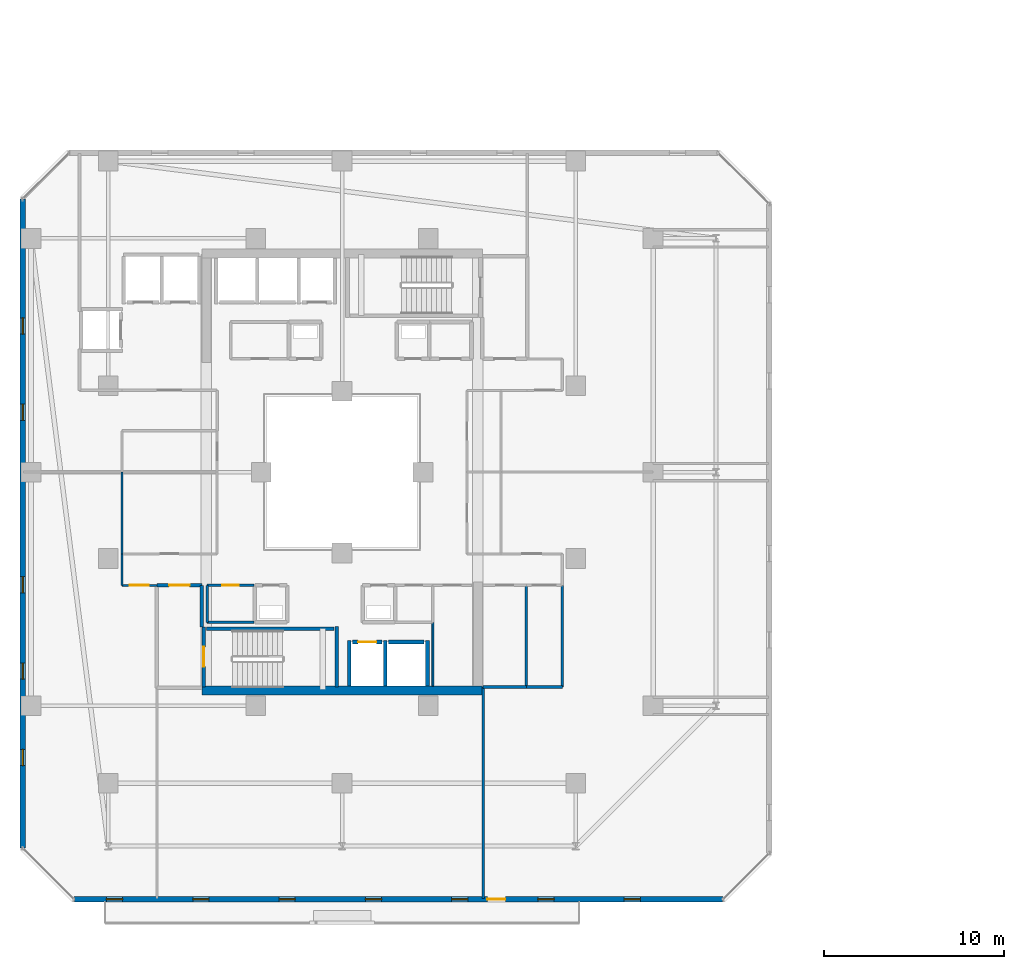
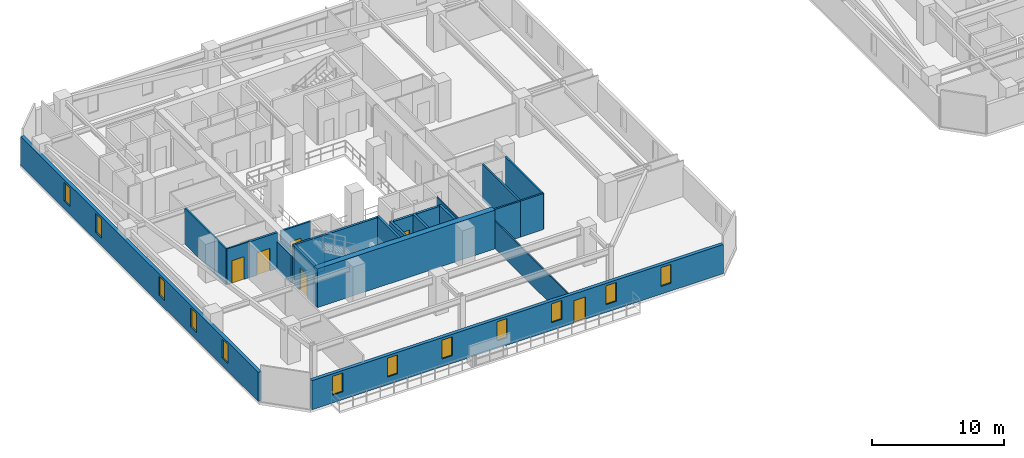
# One storey, part 19 of 33: 25 walls, 12 windows, 6 doors, 18 openings.
"""IFC4 building model written with IfcOpenShell, lengths in metres."""

from ifc_helpers import new_model, si_unit, direction, frame, frame_2d, origin, place, context, subcontext, project, spatial, rectangle, extrude, material, layer, layer_set, type_object, element, fill, save


model = new_model("IFC4")

# Units and contexts
model_context = context("Model", 3, precision=1e-05, world=origin(), true_north=direction((0.0, 1.0)))
body_context = subcontext(model_context, "Body", "Model", "MODEL_VIEW")
ifc_project = project(units=[si_unit("LENGTHUNIT", "METRE"), si_unit("AREAUNIT", "SQUARE_METRE"), si_unit("VOLUMEUNIT", "CUBIC_METRE"), si_unit("PLANEANGLEUNIT", "RADIAN"), si_unit("MASSUNIT", "GRAM", prefix="KILO")], contexts=[model_context])

# Site, building, storey
site_placement = place(None, origin())
site = spatial("IfcSite", under=ifc_project, at=site_placement, CompositionType="ELEMENT")
building_placement = place(site_placement, origin())
building = spatial("IfcBuilding", under=site, at=building_placement, Name="Thornwick Lancets Civic Towers", CompositionType="ELEMENT")
storey_placement = place(building_placement, frame((0.0, 0.0, 167.10009765625)))
storey = spatial("IfcBuildingStorey", under=building, at=storey_placement, Name="L44", CompositionType="ELEMENT", Elevation=167.10009765625)

# Wall, opening, door
ifc_material_1 = material(Name="Concrete blockwork C40/50", Category="masonry")
ifc_layer_1 = layer(ifc_material_1, 0.199951171875, Name="Concrete blockwork C40/50")
ifc_layer_set_1 = layer_set([ifc_layer_1], Name="Concrete blockwork C40/50")
wall_type_1 = type_object("IfcWallType", Name="WALL_COMP_200", PredefinedType="STANDARD", material=ifc_layer_set_1)
wall_1_placement = place(storey_placement, frame((26.080078125, 17.550048828125, 0.0), z_axis=(0.0, 0.0, 1.0), x_axis=(1.0, 0.0, 0.0)))
wall_1 = element("IfcWall", 1, at=wall_1_placement, inside=storey, type_object=wall_type_1, Name="L44 Hoistway Front Wall FL-A1", PredefinedType="STANDARD", context=body_context, shape_type="SweptSolid", body=[
    extrude(rectangle(XDim=1.639892578125, YDim=0.199951171875, at=frame_2d((0.81982421875, 0.0))), origin(), (0.0, 0.0, 1.0), 3.33984375),
])
opening_1_placement = place(wall_1_placement, frame((0.31005859375, 0.0, 0.0)))
opening_1 = element("IfcOpeningElement", 2, at=opening_1_placement, cuts=wall_1, Name="Opening LD-FL-A1", PredefinedType="OPENING", context=body_context, shape_type="SweptSolid", body=[
    extrude(rectangle(XDim=1.02001953125, YDim=2.06005859375, at=frame_2d((0.510009765625, 1.030029296875))), frame((0.0, 0.10986328125, 0.0), z_axis=(0.0, -1.0, 0.0), x_axis=(1.0, 0.0, 0.0)), (0.0, 0.0, 1.0), 0.219970703125),
])
ifc_material_2 = material(Name="Brushed bronze stainless steel", Category="steel")
door_type_1 = type_object("IfcDoorType", Name="DOOR_LIFT_SLIDE", OperationType="SLIDING_TO_LEFT", PredefinedType="DOOR", material=ifc_material_2)
door_1_placement = place(opening_1_placement, origin())
door_1 = element("IfcDoor", 3, at=door_1_placement, inside=storey, type_object=door_type_1, Name="L44 Sliding Lift Landing Door LD-FL-A1", OperationType="SLIDING_TO_LEFT", OverallHeight=2.06005859375, OverallWidth=1.02001953125, PredefinedType="DOOR", context=body_context, shape_type="SweptSolid", body=[
    extrude(rectangle(XDim=1.02001953125, YDim=2.06005859375, at=frame_2d((0.510009765625, 1.030029296875))), frame((0.0, 0.02490234375, 0.0), z_axis=(0.0, -1.0, 0.0), x_axis=(1.0, 0.0, 0.0)), (0.0, 0.0, 1.0), 0.050048828125),
])
fill(opening_1, door_1)

# Walls
wall_2_placement = place(storey_placement, frame((28.080078125, 17.550048828125, 0.0), z_axis=(0.0, 0.0, 1.0), x_axis=(1.0, 0.0, 0.0)))
element("IfcWall", 4, at=wall_2_placement, inside=storey, type_object=wall_type_1, Name="L44 Hoistway Front Wall PL-AH1", PredefinedType="STANDARD", context=body_context, shape_type="SweptSolid", body=[
    extrude(rectangle(XDim=1.989990234375, YDim=0.199951171875, at=frame_2d((0.9951171875, 0.0))), origin(), (0.0, 0.0, 1.0), 3.33984375),
])
for number, where, z_axis, x_axis, name in (
    (5, (27.89990234375, 15.112060546875, 0.0), (0.0, 0.0, 1.0), (0.0, 1.0, 0.0), "L44 Hoistway Shaft Wall FL-A1 E"),
    (6, (25.89990234375, 15.112060546875, 0.0), (0.0, 0.0, 1.0), (0.0, 1.0, 0.0), "L44 Hoistway Shaft Wall FL-A1 W"),
    (7, (30.25, 15.112060546875, 0.0), (0.0, 0.0, 1.0), (0.0, 1.0, 0.0), "L44 Hoistway Shaft Wall PL-AH1 E"),
):
    element("IfcWall", number, at=place(storey_placement, frame(where, z_axis=z_axis, x_axis=x_axis)), inside=storey, type_object=wall_type_1, Name=name, PredefinedType="STANDARD", context=body_context, shape_type="SweptSolid", body=[
        extrude(rectangle(XDim=2.535888671875, YDim=0.199951171875, at=frame_2d((1.26806640625, 0.0))), origin(), (0.0, 0.0, 1.0), 3.33984375),
    ])
wall_3_placement = place(storey_placement, frame((17.699951171875, 18.39990234375, 0.0), z_axis=(0.0, 0.0, 1.0), x_axis=(0.0, 1.0, 0.0)))
element("IfcWall", 8, at=wall_3_placement, inside=storey, type_object=wall_type_1, Name="L44 Partition L44-A-FFLOB1 E2", PredefinedType="STANDARD", context=body_context, shape_type="SweptSolid", body=[
    extrude(rectangle(XDim=2.300048828125, YDim=0.199951171875, at=frame_2d((1.14990234375, 0.0))), origin(), (0.0, 0.0, 1.0), 2.544921875),
])

# Wall, opening, door
wall_4_placement = place(storey_placement, frame((17.699951171875, 20.699951171875, 0.0), z_axis=(0.0, 0.0, 1.0), x_axis=(-1.0, 0.0, 0.0)))
wall_4 = element("IfcWall", 9, at=wall_4_placement, inside=storey, type_object=wall_type_1, Name="L44 Partition L44-A-FFLOB1 E3", PredefinedType="STANDARD", context=body_context, shape_type="SweptSolid", body=[
    extrude(rectangle(XDim=2.5, YDim=0.199951171875, at=frame_2d((1.25, 0.0))), origin(), (0.0, 0.0, 1.0), 3.33984375),
])
opening_2_placement = place(wall_4_placement, frame((0.675048828125, 0.0, 0.0)))
opening_2 = element("IfcOpeningElement", 10, at=opening_2_placement, cuts=wall_4, Name="Opening D-L44-1957", PredefinedType="OPENING", context=body_context, shape_type="SweptSolid", body=[
    extrude(rectangle(XDim=1.14990234375, YDim=2.10009765625, at=frame_2d((0.574951171875, 1.050048828125))), frame((0.0, 0.10986328125, 0.0), z_axis=(0.0, -1.0, 0.0), x_axis=(1.0, 0.0, 0.0)), (0.0, 0.0, 1.0), 0.219970703125),
])
ifc_material_3 = material(Name="Glazed fire-resisting steel", Category="steel")
door_type_2 = type_object("IfcDoorType", Name="DOOR_LOBBY_FD60", OperationType="NOTDEFINED", PredefinedType="DOOR", material=ifc_material_3)
door_2_placement = place(opening_2_placement, origin())
door_2 = element("IfcDoor", 11, at=door_2_placement, inside=storey, type_object=door_type_2, Name="L44 South Firefighting Lobby 1 Door", OperationType="SINGLE_SWING_RIGHT", OverallHeight=2.10009765625, OverallWidth=1.14990234375, PredefinedType="DOOR", context=body_context, shape_type="SweptSolid", body=[
    extrude(rectangle(XDim=1.14990234375, YDim=2.10009765625, at=frame_2d((0.574951171875, 1.050048828125))), frame((0.0, 0.02490234375, 0.0), z_axis=(0.0, -1.0, 0.0), x_axis=(1.0, 0.0, 0.0)), (0.0, 0.0, 1.0), 0.050048828125),
])
fill(opening_2, door_2)

# Wall
ifc_material_4 = material(Name="Concrete C50/60", Category="concrete")
ifc_layer_2 = layer(ifc_material_4, 0.5, Name="Concrete C50/60")
ifc_layer_set_2 = layer_set([ifc_layer_2], Name="Concrete C50/60")
wall_type_2 = type_object("IfcWallType", Name="WALL_CORE_500", PredefinedType="SHEAR", material=ifc_layer_set_2)
wall_5_placement = place(storey_placement, frame((17.699951171875, 14.85009765625, 0.0), z_axis=(0.0, 0.0, 1.0), x_axis=(1.0, 0.0, 0.0)))
element("IfcWall", 12, at=wall_5_placement, inside=storey, type_object=wall_type_2, Name="L44 Split Core A1 Shear Wall S", PredefinedType="SHEAR", context=body_context, shape_type="SweptSolid", body=[
    extrude(rectangle(XDim=15.60009765625, YDim=0.5, at=frame_2d((7.800048828125, 0.0))), origin(), (0.0, 0.0, 1.0), 3.599853515625),
])

# Wall, openings, door, windows
ifc_material_5 = material(Name="Insulated russet terracotta rainscreen on concrete C40/50", Category="masonry")
ifc_layer_3 = layer(ifc_material_5, 0.300048828125, Name="Insulated russet terracotta rainscreen on concrete C40/50")
ifc_layer_set_3 = layer_set([ifc_layer_3], Name="Insulated russet terracotta rainscreen on concrete C40/50")
wall_type_3 = type_object("IfcWallType", Name="WALL_EXT_RUSSET_300", PredefinedType="STANDARD", material=ifc_layer_set_3)
wall_6_placement = place(storey_placement, frame((10.594482421875, 3.236328125, 0.0), z_axis=(0.0, 0.0, 1.0), x_axis=(0.999999999634, -2.7061402e-05, 0.0)))
wall_6 = element("IfcWall", 13, at=wall_6_placement, inside=storey, type_object=wall_type_3, Name="L44 Tower A Terracotta Facade Wall E0", PredefinedType="STANDARD", context=body_context, shape_type="SweptSolid", body=[
    extrude(rectangle(XDim=36.0869140625, YDim=0.300048828125, at=frame_2d((18.04345703125, 0.0))), origin(), (0.0, 0.0, 1.0), 2.699951171875),
])
opening_3_placement = place(wall_6_placement, frame((22.993408203125, 0.0, 0.0)))
opening_3 = element("IfcOpeningElement", 14, at=opening_3_placement, cuts=wall_6, Name="Opening D-BL-L44-AS", PredefinedType="OPENING", context=body_context, shape_type="SweptSolid", body=[
    extrude(rectangle(XDim=1.0, YDim=2.080078125, at=frame_2d((0.5, 1.0400390625))), frame((0.0, 0.16015625, 0.0), z_axis=(0.0, -1.0, 0.0), x_axis=(1.0, 0.0, 0.0)), (0.0, 0.0, 1.0), 0.320068359375),
])
opening_4_placement = place(wall_6_placement, frame((1.800048828125, 0.0, 0.719970703125)))
opening_4 = element("IfcOpeningElement", 15, at=opening_4_placement, cuts=wall_6, Name="Opening WL-01", PredefinedType="OPENING", context=body_context, shape_type="SweptSolid", body=[
    extrude(rectangle(XDim=0.89990234375, YDim=1.75, at=frame_2d((0.449951171875, 0.875))), frame((0.0, 0.16015625, 0.0), z_axis=(0.0, -1.0, 0.0), x_axis=(1.0, 0.0, 0.0)), (0.0, 0.0, 1.0), 0.320068359375),
])
opening_5_placement = place(wall_6_placement, frame((6.60009765625, 0.0, 0.719970703125)))
opening_5 = element("IfcOpeningElement", 16, at=opening_5_placement, cuts=wall_6, Name="Opening WL-01", PredefinedType="OPENING", context=body_context, shape_type="SweptSolid", body=[
    extrude(rectangle(XDim=0.89990234375, YDim=1.75, at=frame_2d((0.449951171875, 0.875))), frame((0.0, 0.16015625, 0.0), z_axis=(0.0, -1.0, 0.0), x_axis=(1.0, 0.0, 0.0)), (0.0, 0.0, 1.0), 0.320068359375),
])
opening_6_placement = place(wall_6_placement, frame((11.39990234375, 0.0, 0.719970703125)))
opening_6 = element("IfcOpeningElement", 17, at=opening_6_placement, cuts=wall_6, Name="Opening WL-01", PredefinedType="OPENING", context=body_context, shape_type="SweptSolid", body=[
    extrude(rectangle(XDim=0.89990234375, YDim=1.75, at=frame_2d((0.449951171875, 0.875))), frame((0.0, 0.16015625, 0.0), z_axis=(0.0, -1.0, 0.0), x_axis=(1.0, 0.0, 0.0)), (0.0, 0.0, 1.0), 0.320068359375),
])
opening_7_placement = place(wall_6_placement, frame((16.199951171875, 0.0, 0.719970703125)))
opening_7 = element("IfcOpeningElement", 18, at=opening_7_placement, cuts=wall_6, Name="Opening WL-01", PredefinedType="OPENING", context=body_context, shape_type="SweptSolid", body=[
    extrude(rectangle(XDim=0.89990234375, YDim=1.75, at=frame_2d((0.449951171875, 0.875))), frame((0.0, 0.16015625, 0.0), z_axis=(0.0, -1.0, 0.0), x_axis=(1.0, 0.0, 0.0)), (0.0, 0.0, 1.0), 0.320068359375),
])
opening_8_placement = place(wall_6_placement, frame((21.0, 0.0, 0.719970703125)))
opening_8 = element("IfcOpeningElement", 19, at=opening_8_placement, cuts=wall_6, Name="Opening WL-01", PredefinedType="OPENING", context=body_context, shape_type="SweptSolid", body=[
    extrude(rectangle(XDim=0.89990234375, YDim=1.75, at=frame_2d((0.449951171875, 0.875))), frame((0.0, 0.16015625, 0.0), z_axis=(0.0, -1.0, 0.0), x_axis=(1.0, 0.0, 0.0)), (0.0, 0.0, 1.0), 0.320068359375),
])
opening_9_placement = place(wall_6_placement, frame((25.800048828125, 0.0, 0.719970703125)))
opening_9 = element("IfcOpeningElement", 20, at=opening_9_placement, cuts=wall_6, Name="Opening WL-01", PredefinedType="OPENING", context=body_context, shape_type="SweptSolid", body=[
    extrude(rectangle(XDim=0.89990234375, YDim=1.75, at=frame_2d((0.449951171875, 0.875))), frame((0.0, 0.16015625, 0.0), z_axis=(0.0, -1.0, 0.0), x_axis=(1.0, 0.0, 0.0)), (0.0, 0.0, 1.0), 0.320068359375),
])
opening_10_placement = place(wall_6_placement, frame((30.60009765625, 0.0, 0.719970703125)))
opening_10 = element("IfcOpeningElement", 21, at=opening_10_placement, cuts=wall_6, Name="Opening WL-01", PredefinedType="OPENING", context=body_context, shape_type="SweptSolid", body=[
    extrude(rectangle(XDim=0.89990234375, YDim=1.75, at=frame_2d((0.449951171875, 0.875))), frame((0.0, 0.16015625, 0.0), z_axis=(0.0, -1.0, 0.0), x_axis=(1.0, 0.0, 0.0)), (0.0, 0.0, 1.0), 0.320068359375),
])
ifc_material_6 = material(Name="Thermally broken glazed loggia doorset")
door_type_3 = type_object("IfcDoorType", Name="DOOR_BALC_1000", OperationType="NOTDEFINED", PredefinedType="DOOR", material=ifc_material_6)
door_3_placement = place(opening_3_placement, origin())
door_3 = element("IfcDoor", 22, at=door_3_placement, inside=storey, type_object=door_type_3, Name="L44 Tower A Loggia Balcony Door S", OperationType="SINGLE_SWING_LEFT", OverallHeight=2.080078125, OverallWidth=1.0, PredefinedType="DOOR", context=body_context, shape_type="SweptSolid", body=[
    extrude(rectangle(XDim=1.0, YDim=2.080078125, at=frame_2d((0.5, 1.0400390625))), frame((0.0, 0.02490234375, 0.0), z_axis=(0.0, -1.0, 0.0), x_axis=(1.0, 0.0, 0.0)), (0.0, 0.0, 1.0), 0.050048828125),
])
fill(opening_3, door_3)
ifc_material_7 = material(Name="Clear low-e double glazing in bronze frame", Category="glass")
window_type = type_object("IfcWindowType", Name="WIN_LANCET_900", PartitioningType="SINGLE_PANEL", PredefinedType="WINDOW", material=ifc_material_7)
window_1_placement = place(opening_4_placement, origin())
window_1 = element("IfcWindow", 23, at=window_1_placement, inside=storey, type_object=window_type, Name="L44 Tower A Staggered Lancet Window E0-1", OverallHeight=1.75, OverallWidth=0.89990234375, PartitioningType="SINGLE_PANEL", PredefinedType="WINDOW", context=body_context, shape_type="SweptSolid", body=[
    extrude(rectangle(XDim=0.89990234375, YDim=1.75, at=frame_2d((0.449951171875, 0.875))), frame((0.0, 0.030029296875, 0.0), z_axis=(0.0, -1.0, 0.0), x_axis=(1.0, 0.0, 0.0)), (0.0, 0.0, 1.0), 0.06005859375),
])
fill(opening_4, window_1)
window_2_placement = place(opening_5_placement, origin())
window_2 = element("IfcWindow", 24, at=window_2_placement, inside=storey, type_object=window_type, Name="L44 Tower A Staggered Lancet Window E0-2", OverallHeight=1.75, OverallWidth=0.89990234375, PartitioningType="SINGLE_PANEL", PredefinedType="WINDOW", context=body_context, shape_type="SweptSolid", body=[
    extrude(rectangle(XDim=0.89990234375, YDim=1.75, at=frame_2d((0.449951171875, 0.875))), frame((0.0, 0.030029296875, 0.0), z_axis=(0.0, -1.0, 0.0), x_axis=(1.0, 0.0, 0.0)), (0.0, 0.0, 1.0), 0.06005859375),
])
fill(opening_5, window_2)
window_3_placement = place(opening_6_placement, origin())
window_3 = element("IfcWindow", 25, at=window_3_placement, inside=storey, type_object=window_type, Name="L44 Tower A Staggered Lancet Window E0-3", OverallHeight=1.75, OverallWidth=0.89990234375, PartitioningType="SINGLE_PANEL", PredefinedType="WINDOW", context=body_context, shape_type="SweptSolid", body=[
    extrude(rectangle(XDim=0.89990234375, YDim=1.75, at=frame_2d((0.449951171875, 0.875))), frame((0.0, 0.030029296875, 0.0), z_axis=(0.0, -1.0, 0.0), x_axis=(1.0, 0.0, 0.0)), (0.0, 0.0, 1.0), 0.06005859375),
])
fill(opening_6, window_3)
window_4_placement = place(opening_7_placement, origin())
window_4 = element("IfcWindow", 26, at=window_4_placement, inside=storey, type_object=window_type, Name="L44 Tower A Staggered Lancet Window E0-4", OverallHeight=1.75, OverallWidth=0.89990234375, PartitioningType="SINGLE_PANEL", PredefinedType="WINDOW", context=body_context, shape_type="SweptSolid", body=[
    extrude(rectangle(XDim=0.89990234375, YDim=1.75, at=frame_2d((0.449951171875, 0.875))), frame((0.0, 0.030029296875, 0.0), z_axis=(0.0, -1.0, 0.0), x_axis=(1.0, 0.0, 0.0)), (0.0, 0.0, 1.0), 0.06005859375),
])
fill(opening_7, window_4)
window_5_placement = place(opening_8_placement, origin())
window_5 = element("IfcWindow", 27, at=window_5_placement, inside=storey, type_object=window_type, Name="L44 Tower A Staggered Lancet Window E0-5", OverallHeight=1.75, OverallWidth=0.89990234375, PartitioningType="SINGLE_PANEL", PredefinedType="WINDOW", context=body_context, shape_type="SweptSolid", body=[
    extrude(rectangle(XDim=0.89990234375, YDim=1.75, at=frame_2d((0.449951171875, 0.875))), frame((0.0, 0.030029296875, 0.0), z_axis=(0.0, -1.0, 0.0), x_axis=(1.0, 0.0, 0.0)), (0.0, 0.0, 1.0), 0.06005859375),
])
fill(opening_8, window_5)
window_6_placement = place(opening_9_placement, origin())
window_6 = element("IfcWindow", 28, at=window_6_placement, inside=storey, type_object=window_type, Name="L44 Tower A Staggered Lancet Window E0-6", OverallHeight=1.75, OverallWidth=0.89990234375, PartitioningType="SINGLE_PANEL", PredefinedType="WINDOW", context=body_context, shape_type="SweptSolid", body=[
    extrude(rectangle(XDim=0.89990234375, YDim=1.75, at=frame_2d((0.449951171875, 0.875))), frame((0.0, 0.030029296875, 0.0), z_axis=(0.0, -1.0, 0.0), x_axis=(1.0, 0.0, 0.0)), (0.0, 0.0, 1.0), 0.06005859375),
])
fill(opening_9, window_6)
window_7_placement = place(opening_10_placement, origin())
window_7 = element("IfcWindow", 29, at=window_7_placement, inside=storey, type_object=window_type, Name="L44 Tower A Staggered Lancet Window E0-7", OverallHeight=1.75, OverallWidth=0.89990234375, PartitioningType="SINGLE_PANEL", PredefinedType="WINDOW", context=body_context, shape_type="SweptSolid", body=[
    extrude(rectangle(XDim=0.89990234375, YDim=1.75, at=frame_2d((0.449951171875, 0.875))), frame((0.0, 0.030029296875, 0.0), z_axis=(0.0, -1.0, 0.0), x_axis=(1.0, 0.0, 0.0)), (0.0, 0.0, 1.0), 0.06005859375),
])
fill(opening_10, window_7)

# Wall, openings, windows
wall_7_placement = place(storey_placement, frame((7.7353515625, 42.181396484375, 0.0), z_axis=(0.0, 0.0, 1.0), x_axis=(2.7061402e-05, -0.999999999634, 0.0)))
wall_7 = element("IfcWall", 30, at=wall_7_placement, inside=storey, type_object=wall_type_3, Name="L44 Tower A Terracotta Facade Wall E6", PredefinedType="STANDARD", context=body_context, shape_type="SweptSolid", body=[
    extrude(rectangle(XDim=36.0869140625, YDim=0.300048828125, at=frame_2d((18.04345703125, 0.0))), origin(), (0.0, 0.0, 1.0), 2.699951171875),
])
opening_11_placement = place(wall_7_placement, frame((6.60009765625, 0.0, 0.719970703125)))
opening_11 = element("IfcOpeningElement", 31, at=opening_11_placement, cuts=wall_7, Name="Opening WL-01", PredefinedType="OPENING", context=body_context, shape_type="SweptSolid", body=[
    extrude(rectangle(XDim=0.89990234375, YDim=1.75, at=frame_2d((0.449951171875, 0.875))), frame((0.0, 0.16015625, 0.0), z_axis=(0.0, -1.0, 0.0), x_axis=(1.0, 0.0, 0.0)), (0.0, 0.0, 1.0), 0.320068359375),
])
opening_12_placement = place(wall_7_placement, frame((11.39990234375, 0.0, 0.719970703125)))
opening_12 = element("IfcOpeningElement", 32, at=opening_12_placement, cuts=wall_7, Name="Opening WL-01", PredefinedType="OPENING", context=body_context, shape_type="SweptSolid", body=[
    extrude(rectangle(XDim=0.89990234375, YDim=1.75, at=frame_2d((0.449951171875, 0.875))), frame((0.0, 0.16015625, 0.0), z_axis=(0.0, -1.0, 0.0), x_axis=(1.0, 0.0, 0.0)), (0.0, 0.0, 1.0), 0.320068359375),
])
opening_13_placement = place(wall_7_placement, frame((21.0, 0.0, 0.719970703125)))
opening_13 = element("IfcOpeningElement", 33, at=opening_13_placement, cuts=wall_7, Name="Opening WL-01", PredefinedType="OPENING", context=body_context, shape_type="SweptSolid", body=[
    extrude(rectangle(XDim=0.89990234375, YDim=1.75, at=frame_2d((0.449951171875, 0.875))), frame((0.0, 0.16015625, 0.0), z_axis=(0.0, -1.0, 0.0), x_axis=(1.0, 0.0, 0.0)), (0.0, 0.0, 1.0), 0.320068359375),
])
opening_14_placement = place(wall_7_placement, frame((25.800048828125, 0.0, 0.719970703125)))
opening_14 = element("IfcOpeningElement", 34, at=opening_14_placement, cuts=wall_7, Name="Opening WL-01", PredefinedType="OPENING", context=body_context, shape_type="SweptSolid", body=[
    extrude(rectangle(XDim=0.89990234375, YDim=1.75, at=frame_2d((0.449951171875, 0.875))), frame((0.0, 0.16015625, 0.0), z_axis=(0.0, -1.0, 0.0), x_axis=(1.0, 0.0, 0.0)), (0.0, 0.0, 1.0), 0.320068359375),
])
opening_15_placement = place(wall_7_placement, frame((30.60009765625, 0.0, 0.719970703125)))
opening_15 = element("IfcOpeningElement", 35, at=opening_15_placement, cuts=wall_7, Name="Opening WL-01", PredefinedType="OPENING", context=body_context, shape_type="SweptSolid", body=[
    extrude(rectangle(XDim=0.89990234375, YDim=1.75, at=frame_2d((0.449951171875, 0.875))), frame((0.0, 0.16015625, 0.0), z_axis=(0.0, -1.0, 0.0), x_axis=(1.0, 0.0, 0.0)), (0.0, 0.0, 1.0), 0.320068359375),
])
window_8_placement = place(opening_11_placement, origin())
window_8 = element("IfcWindow", 36, at=window_8_placement, inside=storey, type_object=window_type, Name="L44 Tower A Staggered Lancet Window E6-1", OverallHeight=1.75, OverallWidth=0.89990234375, PartitioningType="SINGLE_PANEL", PredefinedType="WINDOW", context=body_context, shape_type="SweptSolid", body=[
    extrude(rectangle(XDim=0.89990234375, YDim=1.75, at=frame_2d((0.449951171875, 0.875))), frame((0.0, 0.030029296875, 0.0), z_axis=(0.0, -1.0, 0.0), x_axis=(1.0, 0.0, 0.0)), (0.0, 0.0, 1.0), 0.06005859375),
])
fill(opening_11, window_8)
window_9_placement = place(opening_12_placement, origin())
window_9 = element("IfcWindow", 37, at=window_9_placement, inside=storey, type_object=window_type, Name="L44 Tower A Staggered Lancet Window E6-2", OverallHeight=1.75, OverallWidth=0.89990234375, PartitioningType="SINGLE_PANEL", PredefinedType="WINDOW", context=body_context, shape_type="SweptSolid", body=[
    extrude(rectangle(XDim=0.89990234375, YDim=1.75, at=frame_2d((0.449951171875, 0.875))), frame((0.0, 0.030029296875, 0.0), z_axis=(0.0, -1.0, 0.0), x_axis=(1.0, 0.0, 0.0)), (0.0, 0.0, 1.0), 0.06005859375),
])
fill(opening_12, window_9)
window_10_placement = place(opening_13_placement, origin())
window_10 = element("IfcWindow", 38, at=window_10_placement, inside=storey, type_object=window_type, Name="L44 Tower A Staggered Lancet Window E6-3", OverallHeight=1.75, OverallWidth=0.89990234375, PartitioningType="SINGLE_PANEL", PredefinedType="WINDOW", context=body_context, shape_type="SweptSolid", body=[
    extrude(rectangle(XDim=0.89990234375, YDim=1.75, at=frame_2d((0.449951171875, 0.875))), frame((0.0, 0.030029296875, 0.0), z_axis=(0.0, -1.0, 0.0), x_axis=(1.0, 0.0, 0.0)), (0.0, 0.0, 1.0), 0.06005859375),
])
fill(opening_13, window_10)
window_11_placement = place(opening_14_placement, origin())
window_11 = element("IfcWindow", 39, at=window_11_placement, inside=storey, type_object=window_type, Name="L44 Tower A Staggered Lancet Window E6-4", OverallHeight=1.75, OverallWidth=0.89990234375, PartitioningType="SINGLE_PANEL", PredefinedType="WINDOW", context=body_context, shape_type="SweptSolid", body=[
    extrude(rectangle(XDim=0.89990234375, YDim=1.75, at=frame_2d((0.449951171875, 0.875))), frame((0.0, 0.030029296875, 0.0), z_axis=(0.0, -1.0, 0.0), x_axis=(1.0, 0.0, 0.0)), (0.0, 0.0, 1.0), 0.06005859375),
])
fill(opening_14, window_11)
window_12_placement = place(opening_15_placement, origin())
window_12 = element("IfcWindow", 40, at=window_12_placement, inside=storey, type_object=window_type, Name="L44 Tower A Staggered Lancet Window E6-5", OverallHeight=1.75, OverallWidth=0.89990234375, PartitioningType="SINGLE_PANEL", PredefinedType="WINDOW", context=body_context, shape_type="SweptSolid", body=[
    extrude(rectangle(XDim=0.89990234375, YDim=1.75, at=frame_2d((0.449951171875, 0.875))), frame((0.0, 0.030029296875, 0.0), z_axis=(0.0, -1.0, 0.0), x_axis=(1.0, 0.0, 0.0)), (0.0, 0.0, 1.0), 0.06005859375),
])
fill(opening_15, window_12)

# Walls
ifc_material_8 = material(Name="Lightweight cellular office partition")
ifc_layer_4 = layer(ifc_material_8, 0.10009765625, Name="Lightweight cellular office partition")
ifc_layer_set_4 = layer_set([ifc_layer_4], Name="Lightweight cellular office partition")
wall_type_4 = type_object("IfcWallType", Name="WALL_PART_100", PredefinedType="PARTITIONING", material=ifc_layer_set_4)
wall_8_placement = place(storey_placement, frame((30.550048828125, 15.10009765625, 0.0), z_axis=(0.0, 0.0, 1.0), x_axis=(0.0, 1.0, 0.0)))
element("IfcWall", 41, at=wall_8_placement, inside=storey, type_object=wall_type_4, Name="L44 Partition L44-A-CLN E3", PredefinedType="PARTITIONING", context=body_context, shape_type="SweptSolid", body=[
    extrude(rectangle(XDim=3.5498046875, YDim=0.10009765625, at=frame_2d((1.77490234375, 0.0))), origin(), (0.0, 0.0, 1.0), 3.33984375),
])
ifc_material_9 = material(Name="Acoustic gypsum board partition")
ifc_layer_5 = layer(ifc_material_9, 0.1201171875, Name="Acoustic gypsum board partition")
ifc_layer_set_5 = layer_set([ifc_layer_5], Name="Acoustic gypsum board partition")
wall_type_5 = type_object("IfcWallType", Name="WALL_PART_120", PredefinedType="PARTITIONING", material=ifc_layer_set_5)
wall_9_placement = place(storey_placement, frame((13.25, 27.0, 0.0), z_axis=(0.0, 0.0, 1.0), x_axis=(0.0, -1.0, 0.0)))
element("IfcWall", 42, at=wall_9_placement, inside=storey, type_object=wall_type_5, Name="L44 Partition L44-A-W1 E1", PredefinedType="PARTITIONING", context=body_context, shape_type="SweptSolid", body=[
    extrude(rectangle(XDim=4.550048828125, YDim=0.1201171875, at=frame_2d((2.27490234375, 0.0))), origin(), (0.0, 0.0, 1.0), 3.33984375),
])
wall_10_placement = place(storey_placement, frame((13.25, 22.449951171875, 0.0), z_axis=(0.0, 0.0, 1.0), x_axis=(0.0, -1.0, 0.0)))
element("IfcWall", 43, at=wall_10_placement, inside=storey, type_object=wall_type_5, Name="L44 Partition L44-A-W1 E2", PredefinedType="PARTITIONING", context=body_context, shape_type="SweptSolid", body=[
    extrude(rectangle(XDim=1.75, YDim=0.1201171875, at=frame_2d((0.875, 0.0))), origin(), (0.0, 0.0, 1.0), 3.33984375),
])

# Wall, opening, door
wall_11_placement = place(storey_placement, frame((13.25, 20.699951171875, 0.0), z_axis=(0.0, 0.0, 1.0), x_axis=(1.0, 0.0, 0.0)))
wall_11 = element("IfcWall", 44, at=wall_11_placement, inside=storey, type_object=wall_type_5, Name="L44 Partition L44-A-W1 E3", PredefinedType="PARTITIONING", context=body_context, shape_type="SweptSolid", body=[
    extrude(rectangle(XDim=1.949951171875, YDim=0.1201171875, at=frame_2d((0.97509765625, 0.0))), origin(), (0.0, 0.0, 1.0), 3.33984375),
])
opening_16_placement = place(wall_11_placement, frame((0.449951171875, 0.0, 0.0)))
opening_16 = element("IfcOpeningElement", 45, at=opening_16_placement, cuts=wall_11, Name="Opening D-L44-1981", PredefinedType="OPENING", context=body_context, shape_type="SweptSolid", body=[
    extrude(rectangle(XDim=1.050048828125, YDim=2.10009765625, at=frame_2d((0.52490234375, 1.050048828125))), frame((0.0, 0.070068359375, 0.0), z_axis=(0.0, -1.0, 0.0), x_axis=(1.0, 0.0, 0.0)), (0.0, 0.0, 1.0), 0.14013671875),
])
ifc_material_10 = material(Name="Glazed European oak executive doorset")
door_type_4 = type_object("IfcDoorType", Name="DOOR_OFFICE_1050", OperationType="NOTDEFINED", PredefinedType="DOOR", material=ifc_material_10)
door_4_placement = place(opening_16_placement, origin())
door_4 = element("IfcDoor", 46, at=door_4_placement, inside=storey, type_object=door_type_4, Name="L44 Tower A Ministry Directorate Office W1 Door", OperationType="SINGLE_SWING_RIGHT", OverallHeight=2.10009765625, OverallWidth=1.050048828125, PredefinedType="DOOR", context=body_context, shape_type="SweptSolid", body=[
    extrude(rectangle(XDim=1.050048828125, YDim=2.10009765625, at=frame_2d((0.52490234375, 1.050048828125))), frame((0.0, 0.02490234375, 0.0), z_axis=(0.0, -1.0, 0.0), x_axis=(1.0, 0.0, 0.0)), (0.0, 0.0, 1.0), 0.050048828125),
])
fill(opening_16, door_4)

# Walls
wall_12_placement = place(storey_placement, frame((33.35009765625, 3.280029296875, 0.0), z_axis=(0.0, 0.0, 1.0), x_axis=(0.0, 1.0, 0.0)))
element("IfcWall", 47, at=wall_12_placement, inside=storey, type_object=wall_type_5, Name="L44 Partition L44-A-E2 E2", PredefinedType="PARTITIONING", context=body_context, shape_type="SweptSolid", body=[
    extrude(rectangle(XDim=11.77001953125, YDim=0.1201171875, at=frame_2d((5.885009765625, 0.0))), origin(), (0.0, 0.0, 1.0), 2.544921875),
])
ifc_material_11 = material(Name="Twin-stud acoustic gypsum board")
ifc_layer_6 = layer(ifc_material_11, 0.14990234375, Name="Twin-stud acoustic gypsum board")
ifc_layer_set_6 = layer_set([ifc_layer_6], Name="Twin-stud acoustic gypsum board")
wall_type_6 = type_object("IfcWallType", Name="WALL_PART_150", PredefinedType="PARTITIONING", material=ifc_layer_set_6)
wall_13_placement = place(storey_placement, frame((18.0, 18.64990234375, 0.0), z_axis=(0.0, 0.0, 1.0), x_axis=(1.0, 0.0, 0.0)))
element("IfcWall", 48, at=wall_13_placement, inside=storey, type_object=wall_type_6, Name="L44 Partition L44-A-AWC E1", PredefinedType="PARTITIONING", context=body_context, shape_type="SweptSolid", body=[
    extrude(rectangle(XDim=2.60009765625, YDim=0.14990234375, at=frame_2d((1.300048828125, 0.0))), origin(), (0.0, 0.0, 1.0), 3.33984375),
])

# Wall, opening, door
wall_14_placement = place(storey_placement, frame((20.60009765625, 20.699951171875, 0.0), z_axis=(0.0, 0.0, 1.0), x_axis=(-1.0, 0.0, 0.0)))
wall_14 = element("IfcWall", 49, at=wall_14_placement, inside=storey, type_object=wall_type_6, Name="L44 Partition L44-A-AWC E3", PredefinedType="PARTITIONING", context=body_context, shape_type="SweptSolid", body=[
    extrude(rectangle(XDim=2.60009765625, YDim=0.14990234375, at=frame_2d((1.300048828125, 0.0))), origin(), (0.0, 0.0, 1.0), 3.33984375),
])
opening_17_placement = place(wall_14_placement, frame((0.840087890625, 0.0, 0.0)))
opening_17 = element("IfcOpeningElement", 50, at=opening_17_placement, cuts=wall_14, Name="Opening D-L44-1963", PredefinedType="OPENING", context=body_context, shape_type="SweptSolid", body=[
    extrude(rectangle(XDim=0.919921875, YDim=2.080078125, at=frame_2d((0.4599609375, 1.0400390625))), frame((0.0, 0.0849609375, 0.0), z_axis=(0.0, -1.0, 0.0), x_axis=(1.0, 0.0, 0.0)), (0.0, 0.0, 1.0), 0.169921875),
])
ifc_material_12 = material(Name="Moisture-resistant oak doorset")
door_type_5 = type_object("IfcDoorType", Name="DOOR_WC_900", OperationType="NOTDEFINED", PredefinedType="DOOR", material=ifc_material_12)
door_5_placement = place(opening_17_placement, origin())
door_5 = element("IfcDoor", 51, at=door_5_placement, inside=storey, type_object=door_type_5, Name="L44 Tower A Accessible WC Door", OperationType="SINGLE_SWING_RIGHT", OverallHeight=2.080078125, OverallWidth=0.919921875, PredefinedType="DOOR", context=body_context, shape_type="SweptSolid", body=[
    extrude(rectangle(XDim=0.919921875, YDim=2.080078125, at=frame_2d((0.4599609375, 1.0400390625))), frame((0.0, 0.02490234375, 0.0), z_axis=(0.0, -1.0, 0.0), x_axis=(1.0, 0.0, 0.0)), (0.0, 0.0, 1.0), 0.050048828125),
])
fill(opening_17, door_5)

# Walls
wall_15_placement = place(storey_placement, frame((18.0, 20.699951171875, 0.0), z_axis=(0.0, 0.0, 1.0), x_axis=(0.0, -1.0, 0.0)))
element("IfcWall", 52, at=wall_15_placement, inside=storey, type_object=wall_type_6, Name="L44 Partition L44-A-AWC E4", PredefinedType="PARTITIONING", context=body_context, shape_type="SweptSolid", body=[
    extrude(rectangle(XDim=2.050048828125, YDim=0.14990234375, at=frame_2d((1.02490234375, 0.0))), origin(), (0.0, 0.0, 1.0), 2.544921875),
])
wall_16_placement = place(storey_placement, frame((35.75, 15.050048828125, 0.0), z_axis=(0.0, 0.0, 1.0), x_axis=(-1.0, 0.0, 0.0)))
element("IfcWall", 53, at=wall_16_placement, inside=storey, type_object=wall_type_6, Name="L44 Partition L44-A-RECLAIM-L1 E1", PredefinedType="PARTITIONING", context=body_context, shape_type="SweptSolid", body=[
    extrude(rectangle(XDim=2.39990234375, YDim=0.14990234375, at=frame_2d((1.199951171875, 0.0))), origin(), (0.0, 0.0, 1.0), 3.33984375),
])
wall_17_placement = place(storey_placement, frame((35.75, 20.699951171875, 0.0), z_axis=(0.0, 0.0, 1.0), x_axis=(0.0, -1.0, 0.0)))
element("IfcWall", 54, at=wall_17_placement, inside=storey, type_object=wall_type_6, Name="L44 Partition L44-A-RECLAIM-L1 E4", PredefinedType="PARTITIONING", context=body_context, shape_type="SweptSolid", body=[
    extrude(rectangle(XDim=5.64990234375, YDim=0.14990234375, at=frame_2d((2.824951171875, 0.0))), origin(), (0.0, 0.0, 1.0), 3.33984375),
])
wall_18_placement = place(storey_placement, frame((37.75, 15.050048828125, 0.0), z_axis=(0.0, 0.0, 1.0), x_axis=(-1.0, 0.0, 0.0)))
element("IfcWall", 55, at=wall_18_placement, inside=storey, type_object=wall_type_6, Name="L44 Partition L44-A-RECLAIM-L2 E1", PredefinedType="PARTITIONING", context=body_context, shape_type="SweptSolid", body=[
    extrude(rectangle(XDim=2.0, YDim=0.14990234375, at=frame_2d((1.0, 0.0))), origin(), (0.0, 0.0, 1.0), 3.33984375),
])
wall_19_placement = place(storey_placement, frame((37.75, 20.699951171875, 0.0), z_axis=(0.0, 0.0, 1.0), x_axis=(0.0, -1.0, 0.0)))
element("IfcWall", 56, at=wall_19_placement, inside=storey, type_object=wall_type_6, Name="L44 Partition L44-A-RECLAIM-L2 E4", PredefinedType="PARTITIONING", context=body_context, shape_type="SweptSolid", body=[
    extrude(rectangle(XDim=5.64990234375, YDim=0.14990234375, at=frame_2d((2.824951171875, 0.0))), origin(), (0.0, 0.0, 1.0), 3.33984375),
])

# Wall, opening, door
ifc_material_13 = material(Name="Concrete C40/50", Category="concrete")
ifc_layer_7 = layer(ifc_material_13, 0.199951171875, Name="Concrete C40/50")
ifc_layer_set_7 = layer_set([ifc_layer_7], Name="Concrete C40/50")
wall_type_7 = type_object("IfcWallType", Name="WALL_SHAFT_200", PredefinedType="SHEAR", material=ifc_layer_set_7)
wall_20_placement = place(storey_placement, frame((17.800048828125, 15.050048828125, 0.0), z_axis=(0.0, 0.0, 1.0), x_axis=(0.0, 1.0, 0.0)))
wall_20 = element("IfcWall", 57, at=wall_20_placement, inside=storey, type_object=wall_type_7, Name="L44 ST-A1 Fire Stair Core Wall NEAR", PredefinedType="SHEAR", context=body_context, shape_type="SweptSolid", body=[
    extrude(rectangle(XDim=3.349853515625, YDim=0.199951171875, at=frame_2d((1.6748046875, 0.0))), origin(), (0.0, 0.0, 1.0), 3.599853515625),
])
opening_18_placement = place(wall_20_placement, frame((1.125, 0.0, 0.0)))
opening_18 = element("IfcOpeningElement", 58, at=opening_18_placement, cuts=wall_20, Name="Opening D-ST-A1-L44", PredefinedType="OPENING", context=body_context, shape_type="SweptSolid", body=[
    extrude(rectangle(XDim=1.10009765625, YDim=2.10009765625, at=frame_2d((0.550048828125, 1.050048828125))), frame((0.0, 0.10986328125, 0.0), z_axis=(0.0, -1.0, 0.0), x_axis=(1.0, 0.0, 0.0)), (0.0, 0.0, 1.0), 0.219970703125),
])
ifc_material_14 = material(Name="Fire-resisting steel and hardwood", Category="steel")
door_type_6 = type_object("IfcDoorType", Name="DOOR_STAIR_FD60", OperationType="NOTDEFINED", PredefinedType="DOOR", material=ifc_material_14)
door_6_placement = place(opening_18_placement, origin())
door_6 = element("IfcDoor", 59, at=door_6_placement, inside=storey, type_object=door_type_6, Name="L44 ST-A1 Exit Stair Door", OperationType="SINGLE_SWING_RIGHT", OverallHeight=2.10009765625, OverallWidth=1.10009765625, PredefinedType="DOOR", context=body_context, shape_type="SweptSolid", body=[
    extrude(rectangle(XDim=1.10009765625, YDim=2.10009765625, at=frame_2d((0.550048828125, 1.050048828125))), frame((0.0, 0.02490234375, 0.0), z_axis=(0.0, -1.0, 0.0), x_axis=(1.0, 0.0, 0.0)), (0.0, 0.0, 1.0), 0.050048828125),
])
fill(opening_18, door_6)

# Walls
wall_21_placement = place(storey_placement, frame((25.199951171875, 18.39990234375, 0.0), z_axis=(0.0, 0.0, 1.0), x_axis=(0.0, -1.0, 0.0)))
element("IfcWall", 60, at=wall_21_placement, inside=storey, type_object=wall_type_7, Name="L44 ST-A1 Fire Stair Core Wall FAR", PredefinedType="SHEAR", context=body_context, shape_type="SweptSolid", body=[
    extrude(rectangle(XDim=3.349853515625, YDim=0.199951171875, at=frame_2d((1.6748046875, 0.0))), origin(), (0.0, 0.0, 1.0), 3.599853515625),
])
wall_22_placement = place(storey_placement, frame((25.050048828125, 18.297119140625, 0.0), z_axis=(0.0, 0.0, 1.0), x_axis=(-1.0, 0.0, 0.0)))
element("IfcWall", 61, at=wall_22_placement, inside=storey, type_object=wall_type_7, Name="L44 ST-A1 Fire Stair Core Wall RIGHT", PredefinedType="SHEAR", context=body_context, shape_type="SweptSolid", body=[
    extrude(rectangle(XDim=7.10009765625, YDim=0.199951171875, at=frame_2d((3.550048828125, 0.0))), origin(), (0.0, 0.0, 1.0), 3.599853515625),
])

save(model, "model.ifc")
